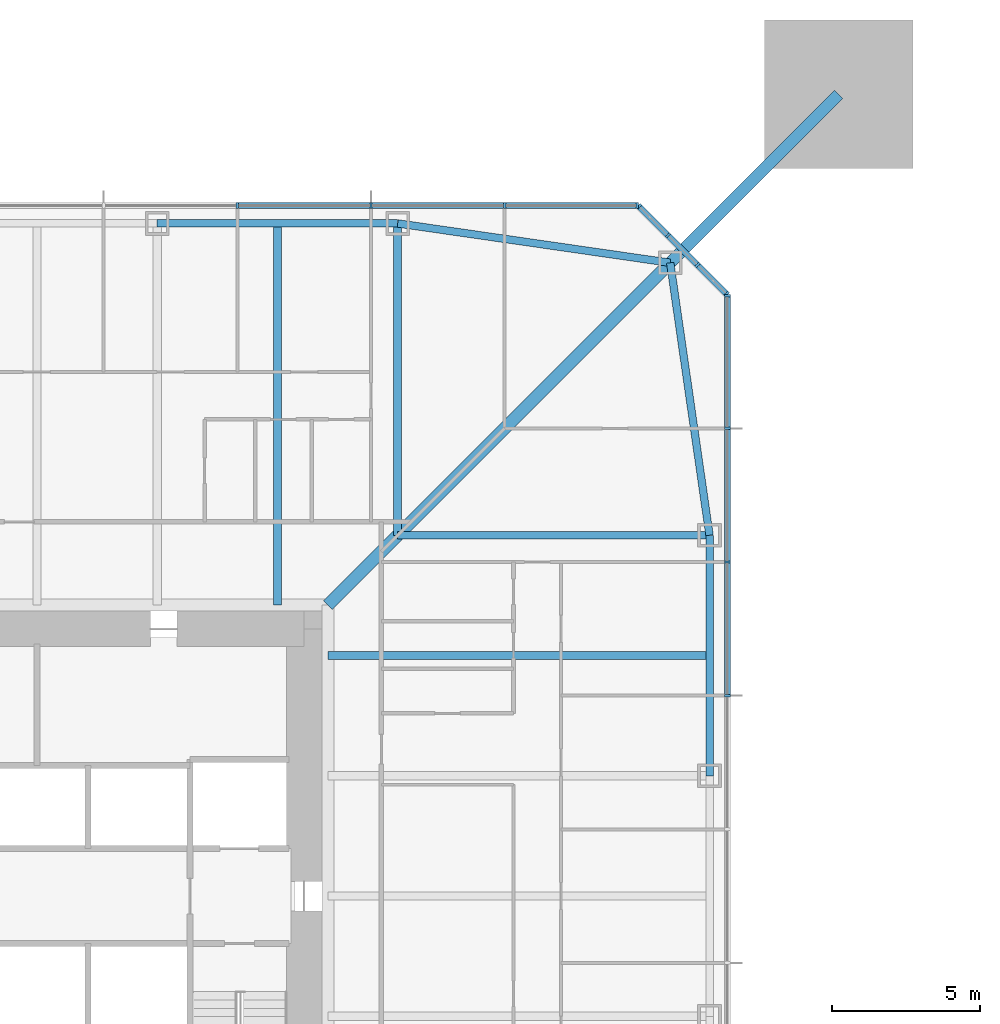
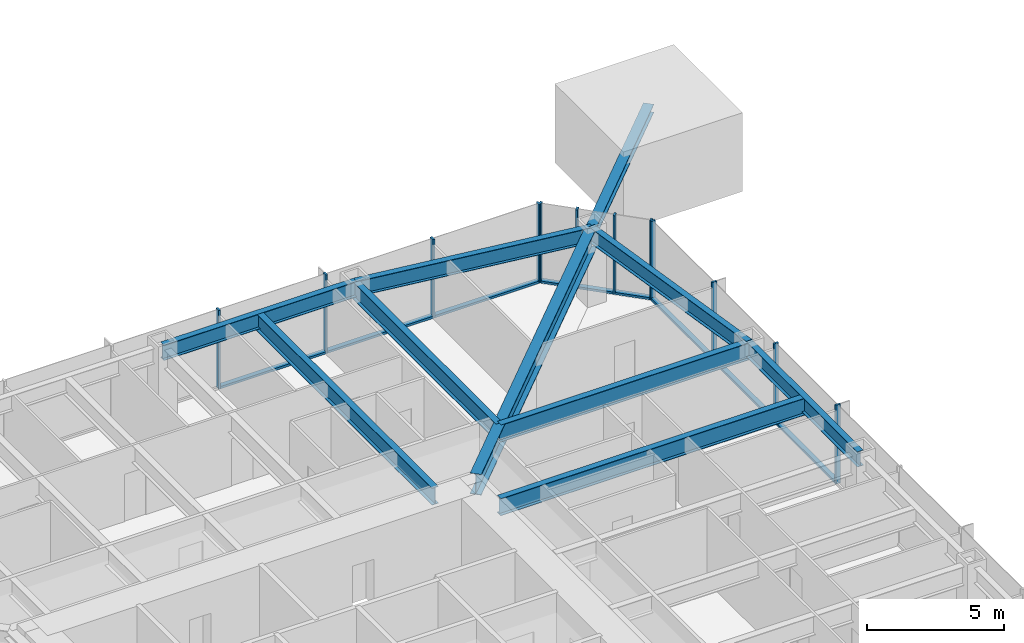
# One storey, part 7 of 26: 22 members, 9 beams, 3 elements without a shape of their own.
"""IFC4 building model written with IfcOpenShell, lengths in metres."""

from ifc_helpers import new_model, si_unit, direction, frame, origin, origin_2d, place, context, subcontext, project, spatial, rectangle, i_section, extrude, material, material_profile, profile_set, type_object, element, aggregate, save


model = new_model("IFC4")

# Units and contexts
model_context = context("Model", 3, precision=1e-05, world=origin(), true_north=direction((0.0, 1.0)))
body_context = subcontext(model_context, "Body", "Model", "MODEL_VIEW")
ifc_project = project(units=[si_unit("LENGTHUNIT", "METRE"), si_unit("AREAUNIT", "SQUARE_METRE"), si_unit("VOLUMEUNIT", "CUBIC_METRE"), si_unit("PLANEANGLEUNIT", "RADIAN"), si_unit("MASSUNIT", "GRAM", prefix="KILO")], contexts=[model_context])

# Site, building, storey
site_placement = place(None, origin())
site = spatial("IfcSite", under=ifc_project, at=site_placement, CompositionType="ELEMENT")
building_placement = place(site_placement, origin())
building = spatial("IfcBuilding", under=site, at=building_placement, Name="Iwan Alto Co-Living Towers", CompositionType="ELEMENT")
storey_placement = place(building_placement, frame((0.0, 0.0, 57.0)))
storey = spatial("IfcBuildingStorey", under=building, at=storey_placement, Name="L15", CompositionType="ELEMENT", Elevation=57.0)

# Curtain wall, members
ifc_material_1 = material(Name="Bronze aluminium unitised frame", Category="aluminium")
curtain_wall_type_1 = type_object("IfcCurtainWallType", Name="CURTAIN WALL CW-A", PredefinedType="NOTDEFINED", material=ifc_material_1)
curtain_wall_1_placement = place(storey_placement, origin())
curtain_wall_1 = element("IfcCurtainWall", 1, at=curtain_wall_1_placement, inside=storey, type_object=curtain_wall_type_1, Name="T1 curtain wall E L15", PredefinedType="NOTDEFINED")
ifc_material_2 = material(Name="Aluminium 6063-T6 bronze anodised", Category="aluminium")
ifc_material_profile_1 = material_profile(ifc_material_2, rectangle(XDim=0.199951171875, YDim=0.080078125, at=origin_2d()), Name="AL 80X200")
ifc_profile_set_1 = profile_set([ifc_material_profile_1], Name="Aluminium 6063-T6 bronze anodised")
member_type_1 = type_object("IfcMemberType", Name="CW-A MULLION 80X200", PredefinedType="MULLION", material=ifc_profile_set_1)
member_1_placement = place(storey_placement, frame((23.25, 6.75, 0.0), z_axis=(0.0, 0.0, 1.0), x_axis=(-1.0, 0.0, 0.0)))
member_1 = element("IfcMember", 2, at=member_1_placement, type_object=member_type_1, Name="CW-A mullion 7", PredefinedType="MULLION", context=body_context, shape_type="SweptSolid", body=[
    extrude(rectangle(XDim=0.199951171875, YDim=0.080078125, at=origin_2d()), origin(), (0.0, 0.0, 1.0), 3.5),
])
member_2_placement = place(storey_placement, frame((23.25, 11.25, 0.0), z_axis=(0.0, 0.0, 1.0), x_axis=(-1.0, 0.0, 0.0)))
member_2 = element("IfcMember", 3, at=member_2_placement, type_object=member_type_1, Name="CW-A mullion 8", PredefinedType="MULLION", context=body_context, shape_type="SweptSolid", body=[
    extrude(rectangle(XDim=0.199951171875, YDim=0.080078125, at=origin_2d()), origin(), (0.0, 0.0, 1.0), 3.5),
])
member_3_placement = place(storey_placement, frame((23.25, 15.75, 0.0), z_axis=(0.0, 0.0, 1.0), x_axis=(-1.0, 0.0, 0.0)))
member_3 = element("IfcMember", 4, at=member_3_placement, type_object=member_type_1, Name="CW-A mullion 9", PredefinedType="MULLION", context=body_context, shape_type="SweptSolid", body=[
    extrude(rectangle(XDim=0.199951171875, YDim=0.080078125, at=origin_2d()), origin(), (0.0, 0.0, 1.0), 3.5),
])
member_4_placement = place(storey_placement, frame((23.25, 20.2099609375, 0.0), z_axis=(0.0, 0.0, 1.0), x_axis=(-1.0, 0.0, 0.0)))
member_4 = element("IfcMember", 5, at=member_4_placement, type_object=member_type_1, Name="CW-A mullion 10", PredefinedType="MULLION", context=body_context, shape_type="SweptSolid", body=[
    extrude(rectangle(XDim=0.199951171875, YDim=0.080078125, at=origin_2d()), origin(), (0.0, 0.0, 1.0), 3.5),
])

curtain_wall_2_placement = place(storey_placement, origin())
curtain_wall_2 = element("IfcCurtainWall", 6, at=curtain_wall_2_placement, inside=storey, type_object=curtain_wall_type_1, Name="T1 curtain wall N L15", PredefinedType="NOTDEFINED")
member_5_placement = place(storey_placement, frame((20.2099609375, 23.25, 0.0), z_axis=(0.0, 0.0, 1.0), x_axis=(0.0, -1.0, 0.0)))
member_5 = element("IfcMember", 7, at=member_5_placement, type_object=member_type_1, Name="CW-A mullion 1", PredefinedType="MULLION", context=body_context, shape_type="SweptSolid", body=[
    extrude(rectangle(XDim=0.199951171875, YDim=0.080078125, at=origin_2d()), origin(), (0.0, 0.0, 1.0), 3.5),
])
member_6_placement = place(storey_placement, frame((15.75, 23.25, 0.0), z_axis=(0.0, 0.0, 1.0), x_axis=(0.0, -1.0, 0.0)))
member_6 = element("IfcMember", 8, at=member_6_placement, type_object=member_type_1, Name="CW-A mullion 2", PredefinedType="MULLION", context=body_context, shape_type="SweptSolid", body=[
    extrude(rectangle(XDim=0.199951171875, YDim=0.080078125, at=origin_2d()), origin(), (0.0, 0.0, 1.0), 3.5),
])
member_7_placement = place(storey_placement, frame((11.25, 23.25, 0.0), z_axis=(0.0, 0.0, 1.0), x_axis=(0.0, -1.0, 0.0)))
member_7 = element("IfcMember", 9, at=member_7_placement, type_object=member_type_1, Name="CW-A mullion 3", PredefinedType="MULLION", context=body_context, shape_type="SweptSolid", body=[
    extrude(rectangle(XDim=0.199951171875, YDim=0.080078125, at=origin_2d()), origin(), (0.0, 0.0, 1.0), 3.5),
])
member_8_placement = place(storey_placement, frame((6.75, 23.25, 0.0), z_axis=(0.0, 0.0, 1.0), x_axis=(0.0, -1.0, 0.0)))
member_8 = element("IfcMember", 10, at=member_8_placement, type_object=member_type_1, Name="CW-A mullion 4", PredefinedType="MULLION", context=body_context, shape_type="SweptSolid", body=[
    extrude(rectangle(XDim=0.199951171875, YDim=0.080078125, at=origin_2d()), origin(), (0.0, 0.0, 1.0), 3.5),
])

# Member
ifc_material_3 = material(Name="Aluminium 6063-T6 bronze anodised", Category="aluminium")
ifc_material_profile_2 = material_profile(ifc_material_3, rectangle(XDim=0.199951171875, YDim=0.10009765625, at=origin_2d()), Name="AL 200X100")
ifc_profile_set_2 = profile_set([ifc_material_profile_2], Name="Aluminium 6063-T6 bronze anodised")
member_type_2 = type_object("IfcMemberType", Name="CW-A TRANSOM 200X100", PredefinedType="USERDEFINED", material=ifc_profile_set_2)
member_9_placement = place(storey_placement, frame((23.25, 6.7900390625, 0.050048828125), z_axis=(0.0, 1.0, 0.0), x_axis=(-1.0, 0.0, 0.0)))
member_9 = element("IfcMember", 11, at=member_9_placement, type_object=member_type_2, Name="CW-A transom 7.1", ObjectType="TRANSOM", PredefinedType="USERDEFINED", context=body_context, shape_type="SweptSolid", body=[
    extrude(rectangle(XDim=0.199951171875, YDim=0.10009765625, at=origin_2d()), origin(), (0.0, 0.0, 1.0), 4.419921875),
])

member_10_placement = place(storey_placement, frame((23.25, 11.2900390625, 0.050048828125), z_axis=(0.0, 1.0, 0.0), x_axis=(-1.0, 0.0, 0.0)))
member_10 = element("IfcMember", 12, at=member_10_placement, type_object=member_type_2, Name="CW-A transom 8.1", ObjectType="TRANSOM", PredefinedType="USERDEFINED", context=body_context, shape_type="SweptSolid", body=[
    extrude(rectangle(XDim=0.199951171875, YDim=0.10009765625, at=origin_2d()), origin(), (0.0, 0.0, 1.0), 4.419921875),
])

member_11_placement = place(storey_placement, frame((23.25, 15.7900390625, 0.050048828125), z_axis=(0.0, 1.0, 0.0), x_axis=(-1.0, 0.0, 0.0)))
member_11 = element("IfcMember", 13, at=member_11_placement, type_object=member_type_2, Name="CW-A transom 9.1", ObjectType="TRANSOM", PredefinedType="USERDEFINED", context=body_context, shape_type="SweptSolid", body=[
    extrude(rectangle(XDim=0.199951171875, YDim=0.10009765625, at=origin_2d()), origin(), (0.0, 0.0, 1.0), 4.3798828125),
])

aggregate(curtain_wall_1, [member_1, member_2, member_3, member_4, member_9, member_10, member_11])

member_12_placement = place(storey_placement, frame((20.169921875, 23.25, 0.050048828125), z_axis=(-1.0, 0.0, 0.0), x_axis=(0.0, -1.0, 0.0)))
member_12 = element("IfcMember", 14, at=member_12_placement, type_object=member_type_2, Name="CW-A transom 1.1", ObjectType="TRANSOM", PredefinedType="USERDEFINED", context=body_context, shape_type="SweptSolid", body=[
    extrude(rectangle(XDim=0.199951171875, YDim=0.10009765625, at=origin_2d()), origin(), (0.0, 0.0, 1.0), 4.3798828125),
])

member_13_placement = place(storey_placement, frame((15.7099609375, 23.25, 0.050048828125), z_axis=(-1.0, 0.0, 0.0), x_axis=(0.0, -1.0, 0.0)))
member_13 = element("IfcMember", 15, at=member_13_placement, type_object=member_type_2, Name="CW-A transom 2.1", ObjectType="TRANSOM", PredefinedType="USERDEFINED", context=body_context, shape_type="SweptSolid", body=[
    extrude(rectangle(XDim=0.199951171875, YDim=0.10009765625, at=origin_2d()), origin(), (0.0, 0.0, 1.0), 4.419921875),
])

member_14_placement = place(storey_placement, frame((11.2099609375, 23.25, 0.050048828125), z_axis=(-1.0, 0.0, 0.0), x_axis=(0.0, -1.0, 0.0)))
member_14 = element("IfcMember", 16, at=member_14_placement, type_object=member_type_2, Name="CW-A transom 3.1", ObjectType="TRANSOM", PredefinedType="USERDEFINED", context=body_context, shape_type="SweptSolid", body=[
    extrude(rectangle(XDim=0.199951171875, YDim=0.10009765625, at=origin_2d()), origin(), (0.0, 0.0, 1.0), 4.419921875),
])

aggregate(curtain_wall_2, [member_5, member_6, member_7, member_8, member_12, member_13, member_14])

# Curtain wall, members
ifc_material_4 = material(Name="Bronze aluminium unitised frame", Category="aluminium")
curtain_wall_type_2 = type_object("IfcCurtainWallType", Name="CURTAIN WALL CW-B", PredefinedType="NOTDEFINED", material=ifc_material_4)
curtain_wall_3_placement = place(storey_placement, origin())
curtain_wall_3 = element("IfcCurtainWall", 17, at=curtain_wall_3_placement, inside=storey, type_object=curtain_wall_type_2, Name="T1 chamfer curtain wall NE L15", PredefinedType="NOTDEFINED")
ifc_material_5 = material(Name="Aluminium 6063-T6 bronze anodised", Category="aluminium")
ifc_material_profile_3 = material_profile(ifc_material_5, rectangle(XDim=0.199951171875, YDim=0.080078125, at=origin_2d()), Name="AL 80X200")
ifc_profile_set_3 = profile_set([ifc_material_profile_3], Name="Aluminium 6063-T6 bronze anodised")
member_type_3 = type_object("IfcMemberType", Name="CW-B MULLION 80X200", PredefinedType="MULLION", material=ifc_profile_set_3)
member_15_placement = place(storey_placement, frame((23.2216796875, 20.2783203125, 0.0), z_axis=(0.0, 0.0, 1.0), x_axis=(-0.707106781187, -0.707106781187, 0.0)))
member_15 = element("IfcMember", 18, at=member_15_placement, type_object=member_type_3, Name="CW-B mullion 1", PredefinedType="MULLION", context=body_context, shape_type="SweptSolid", body=[
    extrude(rectangle(XDim=0.199951171875, YDim=0.080078125, at=origin_2d()), origin(), (0.0, 0.0, 1.0), 3.5),
])
member_16_placement = place(storey_placement, frame((22.25, 21.25, 0.0), z_axis=(0.0, 0.0, 1.0), x_axis=(-0.707106781187, -0.707106781187, 0.0)))
member_16 = element("IfcMember", 19, at=member_16_placement, type_object=member_type_3, Name="CW-B mullion 2", PredefinedType="MULLION", context=body_context, shape_type="SweptSolid", body=[
    extrude(rectangle(XDim=0.199951171875, YDim=0.080078125, at=origin_2d()), origin(), (0.0, 0.0, 1.0), 3.5),
])
member_17_placement = place(storey_placement, frame((21.25, 22.25, 0.0), z_axis=(0.0, 0.0, 1.0), x_axis=(-0.707106781187, -0.707106781187, 0.0)))
member_17 = element("IfcMember", 20, at=member_17_placement, type_object=member_type_3, Name="CW-B mullion 3", PredefinedType="MULLION", context=body_context, shape_type="SweptSolid", body=[
    extrude(rectangle(XDim=0.199951171875, YDim=0.080078125, at=origin_2d()), origin(), (0.0, 0.0, 1.0), 3.5),
])
member_18_placement = place(storey_placement, frame((20.2783203125, 23.2216796875, 0.0), z_axis=(0.0, 0.0, 1.0), x_axis=(-0.707106781187, -0.707106781187, 0.0)))
member_18 = element("IfcMember", 21, at=member_18_placement, type_object=member_type_3, Name="CW-B mullion 4", PredefinedType="MULLION", context=body_context, shape_type="SweptSolid", body=[
    extrude(rectangle(XDim=0.199951171875, YDim=0.080078125, at=origin_2d()), origin(), (0.0, 0.0, 1.0), 3.5),
])
ifc_material_6 = material(Name="Aluminium 6063-T6 bronze anodised", Category="aluminium")
ifc_material_profile_4 = material_profile(ifc_material_6, rectangle(XDim=0.199951171875, YDim=0.10009765625, at=origin_2d()), Name="AL 200X100")
ifc_profile_set_4 = profile_set([ifc_material_profile_4], Name="Aluminium 6063-T6 bronze anodised")
member_type_4 = type_object("IfcMemberType", Name="CW-B TRANSOM 200X100", PredefinedType="USERDEFINED", material=ifc_profile_set_4)
member_19_placement = place(storey_placement, frame((23.193359375, 20.306640625, 0.050048828125), z_axis=(-0.707106781187, 0.707106781187, 0.0), x_axis=(-0.707106781187, -0.707106781187, 0.0)))
member_19 = element("IfcMember", 22, at=member_19_placement, type_object=member_type_4, Name="CW-B transom 1.1", ObjectType="TRANSOM", PredefinedType="USERDEFINED", context=body_context, shape_type="SweptSolid", body=[
    extrude(rectangle(XDim=0.199951171875, YDim=0.10009765625, at=origin_2d()), origin(), (0.0, 0.0, 1.0), 1.2939453125),
])
member_20_placement = place(storey_placement, frame((22.2216796875, 21.2783203125, 0.050048828125), z_axis=(-0.707106781187, 0.707106781187, 0.0), x_axis=(-0.707106781187, -0.707106781187, 0.0)))
member_20 = element("IfcMember", 23, at=member_20_placement, type_object=member_type_4, Name="CW-B transom 2.1", ObjectType="TRANSOM", PredefinedType="USERDEFINED", context=body_context, shape_type="SweptSolid", body=[
    extrude(rectangle(XDim=0.199951171875, YDim=0.10009765625, at=origin_2d()), origin(), (0.0, 0.0, 1.0), 1.334228515625),
])
member_21_placement = place(storey_placement, frame((21.2216796875, 22.2783203125, 0.050048828125), z_axis=(-0.707106781187, 0.707106781187, 0.0), x_axis=(-0.707106781187, -0.707106781187, 0.0)))
member_21 = element("IfcMember", 24, at=member_21_placement, type_object=member_type_4, Name="CW-B transom 3.1", ObjectType="TRANSOM", PredefinedType="USERDEFINED", context=body_context, shape_type="SweptSolid", body=[
    extrude(rectangle(XDim=0.199951171875, YDim=0.10009765625, at=origin_2d()), origin(), (0.0, 0.0, 1.0), 1.2939453125),
])
aggregate(curtain_wall_3, [member_15, member_16, member_17, member_18, member_19, member_20, member_21])

# Beams
ifc_material_7 = material(Name="Steel ASTM A992 Gr 50", Category="steel")
ifc_material_profile_5 = material_profile(ifc_material_7, i_section(OverallWidth=0.419189453125, OverallDepth=0.927001953125, WebThickness=0.019287109375, FlangeThickness=0.031982421875, at=origin_2d()), Name="W36X231")
ifc_profile_set_5 = profile_set([ifc_material_profile_5], Name="Steel ASTM A992 Gr 50")
beam_type_1 = type_object("IfcBeamType", Name="T1 CORNER GIRDER W36X231", PredefinedType="BEAM", material=ifc_profile_set_5)
beam_1_placement = place(storey_placement, frame((21.32568359375, 21.32568359375, 2.806396484375), z_axis=(-0.707106781187, -0.707106781187, 0.0), x_axis=(0.707106781187, -0.707106781187, 0.0)))
element("IfcBeam", 25, at=beam_1_placement, inside=storey, type_object=beam_type_1, Name="T1 corner girder CNE L16", PredefinedType="BEAM", context=body_context, shape_type="SweptSolid", body=[
    extrude(i_section(OverallWidth=0.419189453125, OverallDepth=0.927001953125, WebThickness=0.019287109375, FlangeThickness=0.031982421875, at=origin_2d()), origin(), (0.0, 0.0, 1.0), 16.30078125),
])
ifc_material_8 = material(Name="Steel ASTM A992 Gr 50", Category="steel")
ifc_material_profile_6 = material_profile(ifc_material_8, i_section(OverallWidth=0.25390625, OverallDepth=0.683349609375, WebThickness=0.012451171875, FlangeThickness=0.018798828125, at=origin_2d()), Name="W27X94")
ifc_profile_set_6 = profile_set([ifc_material_profile_6], Name="Steel ASTM A992 Gr 50")
beam_type_2 = type_object("IfcBeamType", Name="T1 EDGE BEAM W27X94", PredefinedType="BEAM", material=ifc_profile_set_6)
beam_2_placement = place(storey_placement, frame((22.64990234375, 4.050048828125, 2.928466796875), z_axis=(0.0, 1.0, 0.0), x_axis=(-1.0, 0.0, 0.0)))
element("IfcBeam", 26, at=beam_2_placement, inside=storey, type_object=beam_type_2, Name="T1 edge beam E3 L16", PredefinedType="BEAM", context=body_context, shape_type="SweptSolid", body=[
    extrude(i_section(OverallWidth=0.25390625, OverallDepth=0.683349609375, WebThickness=0.012451171875, FlangeThickness=0.018798828125, at=origin_2d()), origin(), (0.0, 0.0, 1.0), 8.099853515625),
])
for number, where, z_axis, x_axis, name in (
    (27, (22.64990234375, 12.14990234375, 2.928466796875), (-0.142836940589, 0.989746234347, 0.0), (-0.989746234347, -0.142836940589, 0.0), "T1 edge beam E4 L16"),
    (28, (21.32568359375, 21.32568359375, 2.928466796875), (-0.989746234347, 0.142836940589, 0.0), (-0.142836940589, -0.989746234347, 0.0), "T1 edge beam CNE L16"),
):
    element("IfcBeam", number, at=place(storey_placement, frame(where, z_axis=z_axis, x_axis=x_axis)), inside=storey, type_object=beam_type_2, Name=name, PredefinedType="BEAM", context=body_context, shape_type="SweptSolid", body=[
        extrude(i_section(OverallWidth=0.25390625, OverallDepth=0.683349609375, WebThickness=0.012451171875, FlangeThickness=0.018798828125, at=origin_2d()), origin(), (0.0, 0.0, 1.0), 9.270751953125),
    ])
beam_3_placement = place(storey_placement, frame((12.14990234375, 22.64990234375, 2.928466796875), z_axis=(-1.0, 0.0, 0.0), x_axis=(0.0, -1.0, 0.0)))
element("IfcBeam", 29, at=beam_3_placement, inside=storey, type_object=beam_type_2, Name="T1 edge beam N1 L16", PredefinedType="BEAM", context=body_context, shape_type="SweptSolid", body=[
    extrude(i_section(OverallWidth=0.25390625, OverallDepth=0.683349609375, WebThickness=0.012451171875, FlangeThickness=0.018798828125, at=origin_2d()), origin(), (0.0, 0.0, 1.0), 8.099853515625),
])

# Member
ifc_material_9 = material(Name="Steel ASTM A992 Gr 50", Category="steel")
ifc_material_profile_7 = material_profile(ifc_material_9, i_section(OverallWidth=0.393798828125, OverallDepth=0.3759765625, WebThickness=0.017333984375, FlangeThickness=0.027587890625, at=origin_2d()), Name="W14X145")
ifc_profile_set_7 = profile_set([ifc_material_profile_7], Name="Steel ASTM A992 Gr 50")
member_type_5 = type_object("IfcMemberType", Name="T1 MEGA COLUMN FLOOR TIE W14X145", PredefinedType="STRUT", material=ifc_profile_set_7)
member_22_placement = place(storey_placement, frame((27.0, 27.0, 3.08203125), z_axis=(-0.707106781187, -0.707106781187, 0.0), x_axis=(0.707106781187, -0.707106781187, 0.0)))
element("IfcMember", 30, at=member_22_placement, inside=storey, type_object=member_type_5, Name="T1 mega column floor tie NE L16", PredefinedType="STRUT", context=body_context, shape_type="SweptSolid", body=[
    extrude(i_section(OverallWidth=0.393798828125, OverallDepth=0.3759765625, WebThickness=0.017333984375, FlangeThickness=0.027587890625, at=origin_2d()), origin(), (0.0, 0.0, 1.0), 8.024658203125),
])

# Beams
ifc_material_10 = material(Name="Steel ASTM A992 Gr 50", Category="steel")
ifc_material_profile_8 = material_profile(ifc_material_10, i_section(OverallWidth=0.2666015625, OverallDepth=0.761962890625, WebThickness=0.014404296875, FlangeThickness=0.021484375, at=origin_2d()), Name="W30X116")
ifc_profile_set_8 = profile_set([ifc_material_profile_8], Name="Steel ASTM A992 Gr 50")
beam_type_3 = type_object("IfcBeamType", Name="T1 RADIAL BEAM W30X116", PredefinedType="BEAM", material=ifc_profile_set_8)
for number, where, z_axis, x_axis, name in (
    (31, (22.64990234375, 12.14990234375, 2.888916015625), (-1.0, 0.0, 0.0), (0.0, -1.0, 0.0), "T1 radial beam E4 L16"),
    (32, (12.14990234375, 22.64990234375, 2.888916015625), (0.0, -1.0, 0.0), (1.0, 0.0, 0.0), "T1 radial beam N1 L16"),
):
    element("IfcBeam", number, at=place(storey_placement, frame(where, z_axis=z_axis, x_axis=x_axis)), inside=storey, type_object=beam_type_3, Name=name, PredefinedType="BEAM", context=body_context, shape_type="SweptSolid", body=[
        extrude(i_section(OverallWidth=0.2666015625, OverallDepth=0.761962890625, WebThickness=0.014404296875, FlangeThickness=0.021484375, at=origin_2d()), origin(), (0.0, 0.0, 1.0), 10.5),
    ])
ifc_material_11 = material(Name="Steel ASTM A992 Gr 50", Category="steel")
ifc_material_profile_9 = material_profile(ifc_material_11, i_section(OverallWidth=0.2666015625, OverallDepth=0.761962890625, WebThickness=0.014404296875, FlangeThickness=0.021484375, at=origin_2d()), Name="W30X116")
ifc_profile_set_9 = profile_set([ifc_material_profile_9], Name="Steel ASTM A992 Gr 50")
beam_type_4 = type_object("IfcBeamType", Name="T1 SECONDARY BEAM W30X116", PredefinedType="JOIST", material=ifc_profile_set_9)
for number, where, z_axis, x_axis, name in (
    (33, (22.64990234375, 8.10009765625, 2.888916015625), (-1.0, 0.0, 0.0), (0.0, -1.0, 0.0), "T1 secondary beam E3 L16"),
    (34, (8.10009765625, 22.64990234375, 2.888916015625), (0.0, -1.0, 0.0), (1.0, 0.0, 0.0), "T1 secondary beam N1 L16"),
):
    element("IfcBeam", number, at=place(storey_placement, frame(where, z_axis=z_axis, x_axis=x_axis)), inside=storey, type_object=beam_type_4, Name=name, PredefinedType="JOIST", context=body_context, shape_type="SweptSolid", body=[
        extrude(i_section(OverallWidth=0.2666015625, OverallDepth=0.761962890625, WebThickness=0.014404296875, FlangeThickness=0.021484375, at=origin_2d()), origin(), (0.0, 0.0, 1.0), 12.8505859375),
    ])

save(model, "model.ifc")
